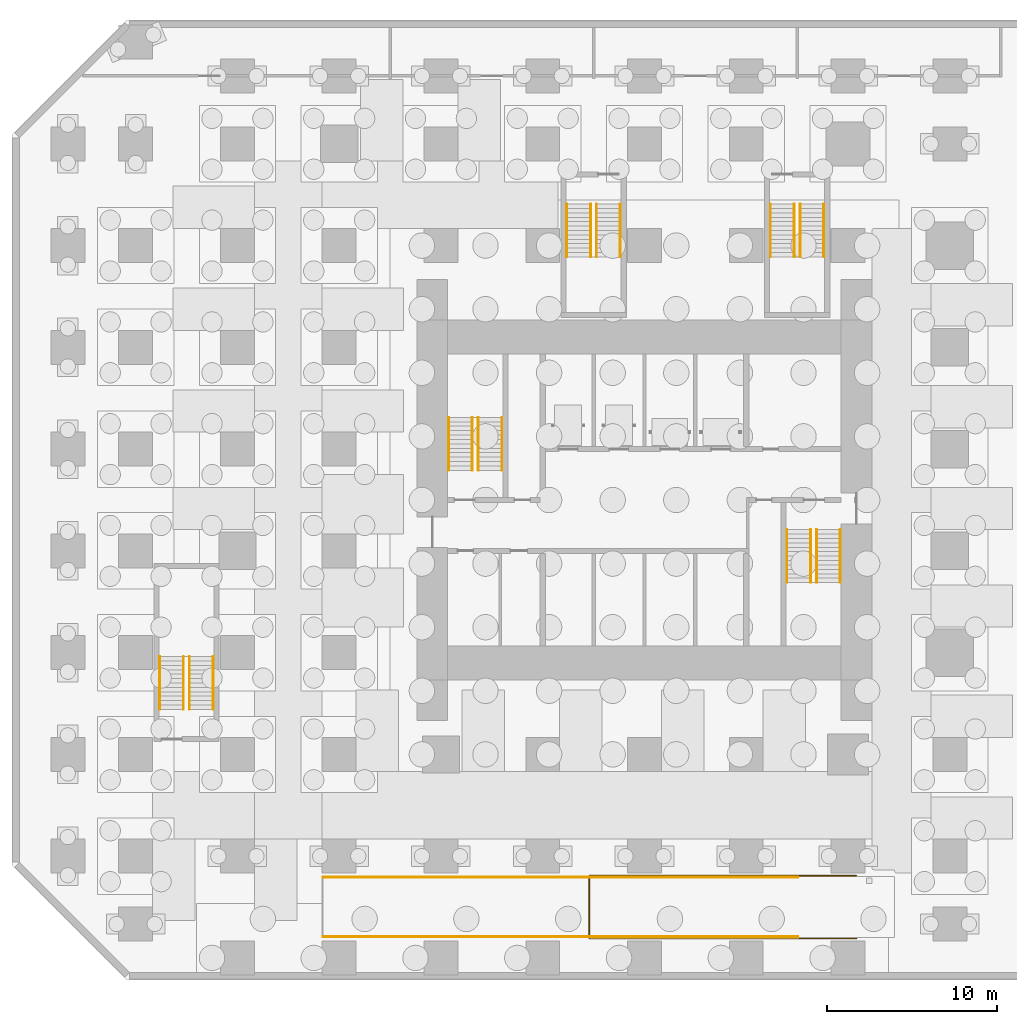
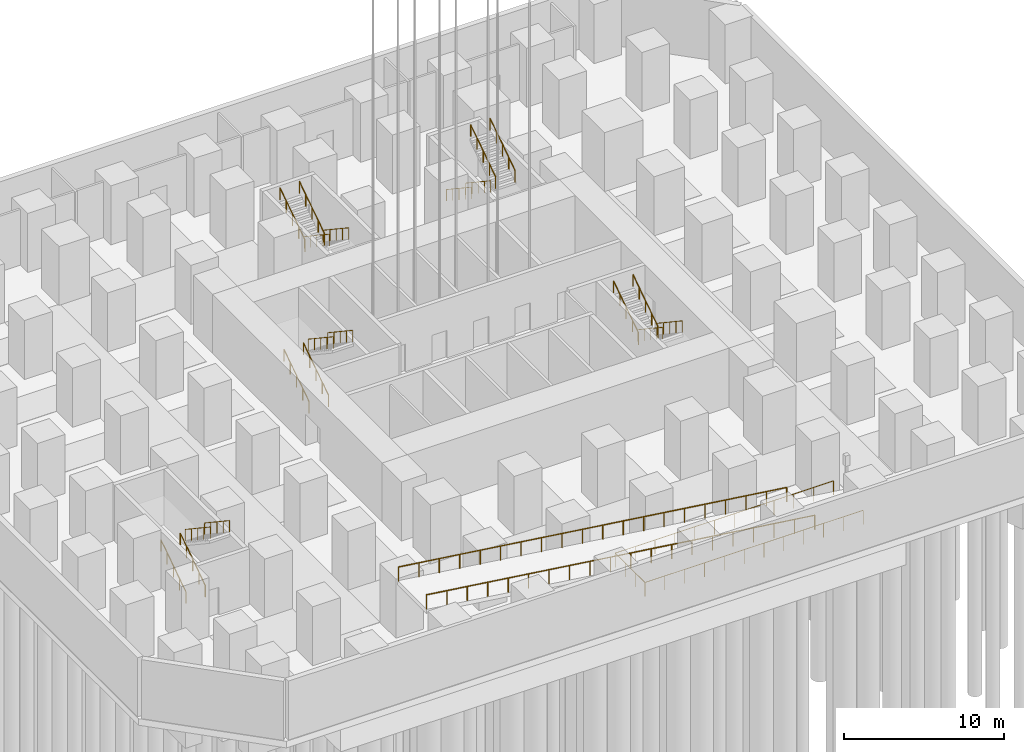
# One storey, part 6 of 11: 23 railings.
"""IFC4 building model written with IfcOpenShell, lengths in metres."""

from ifc_helpers import new_model, si_unit, direction, frame, origin, origin_2d, place, context, subcontext, project, spatial, circle, extrude, material, type_object, element, save


model = new_model("IFC4")

# Units and contexts
model_context = context("Model", 3, precision=1e-05, world=origin(), true_north=direction((0.0, 1.0)))
body_context = subcontext(model_context, "Body", "Model", "MODEL_VIEW")
ifc_project = project(units=[si_unit("LENGTHUNIT", "METRE"), si_unit("AREAUNIT", "SQUARE_METRE"), si_unit("VOLUMEUNIT", "CUBIC_METRE"), si_unit("PLANEANGLEUNIT", "RADIAN"), si_unit("MASSUNIT", "GRAM", prefix="KILO")], contexts=[model_context])

# Site, building, storey
site_placement = place(None, origin())
site = spatial("IfcSite", under=ifc_project, at=site_placement, CompositionType="ELEMENT")
building_placement = place(site_placement, origin())
building = spatial("IfcBuilding", under=site, at=building_placement, Name="Highveld Stack Headquarters", CompositionType="ELEMENT")
storey_placement = place(building_placement, frame((0.0, 0.0, -9.0)))
storey = spatial("IfcBuildingStorey", under=building, at=storey_placement, Name="B2", CompositionType="ELEMENT", Elevation=-9.0)

# Railings
ifc_material_1 = material(Name="Steel balustrade, powder coated", Category="steel")
railing_type_1 = type_object("IfcRailingType", Name="RAMP GUARD GR3 1100", PredefinedType="GUARDRAIL", material=ifc_material_1)
railing_1_placement = place(storey_placement, frame((18.482666015625, -22.85009765625, 0.0)))
element("IfcRailing", 1, at=railing_1_placement, inside=storey, type_object=railing_type_1, Name="Guard under ramp B2 R2 1", PredefinedType="GUARDRAIL", context=body_context, shape_type="SweptSolid", body=[
    extrude(circle(Radius=0.02392578125, at=origin_2d()), frame((0.0, 0.0, 1.076171875), z_axis=(-1.0, 0.0, 0.0), x_axis=(0.0, -1.0, 0.0)), (0.0, 0.0, 1.0), 15.73193359375),
    extrude(circle(Radius=0.02392578125, at=origin_2d()), frame((-15.73193359375, 0.0, 1.076171875), z_axis=(0.0, 1.0, 0.0), x_axis=(-1.0, 0.0, 0.0)), (0.0, 0.0, 1.0), 3.7001953125),
    extrude(circle(Radius=0.02392578125, at=origin_2d()), frame((-15.73193359375, 3.7001953125, 1.076171875), z_axis=(1.0, 0.0, 0.0), x_axis=(0.0, 1.0, 0.0)), (0.0, 0.0, 1.0), 15.73193359375),
    extrude(circle(Radius=0.02099609375, at=origin_2d()), origin(), (0.0, 0.0, 1.0), 1.052001953125),
    extrude(circle(Radius=0.02099609375, at=origin_2d()), frame((-1.43017578125, 0.0, 0.0)), (0.0, 0.0, 1.0), 1.052001953125),
    extrude(circle(Radius=0.02099609375, at=origin_2d()), frame((-2.8603515625, 0.0, 0.0)), (0.0, 0.0, 1.0), 1.052001953125),
    extrude(circle(Radius=0.02099609375, at=origin_2d()), frame((-4.29052734375, 0.0, 0.0)), (0.0, 0.0, 1.0), 1.052001953125),
    extrude(circle(Radius=0.02099609375, at=origin_2d()), frame((-5.720703125, 0.0, 0.0)), (0.0, 0.0, 1.0), 1.052001953125),
    extrude(circle(Radius=0.02099609375, at=origin_2d()), frame((-7.15087890625, 0.0, 0.0)), (0.0, 0.0, 1.0), 1.052001953125),
    extrude(circle(Radius=0.02099609375, at=origin_2d()), frame((-8.5810546875, 0.0, 0.0)), (0.0, 0.0, 1.0), 1.052001953125),
    extrude(circle(Radius=0.02099609375, at=origin_2d()), frame((-10.01123046875, 0.0, 0.0)), (0.0, 0.0, 1.0), 1.052001953125),
    extrude(circle(Radius=0.02099609375, at=origin_2d()), frame((-11.44140625, 0.0, 0.0)), (0.0, 0.0, 1.0), 1.052001953125),
    extrude(circle(Radius=0.02099609375, at=origin_2d()), frame((-12.87158203125, 0.0, 0.0)), (0.0, 0.0, 1.0), 1.052001953125),
    extrude(circle(Radius=0.02099609375, at=origin_2d()), frame((-14.3017578125, 0.0, 0.0)), (0.0, 0.0, 1.0), 1.052001953125),
    extrude(circle(Radius=0.02099609375, at=origin_2d()), frame((-15.73193359375, 0.0, 0.0)), (0.0, 0.0, 1.0), 1.052001953125),
    extrude(circle(Radius=0.02099609375, at=origin_2d()), frame((-15.73193359375, 1.2333984375, 0.0)), (0.0, 0.0, 1.0), 1.052001953125),
    extrude(circle(Radius=0.02099609375, at=origin_2d()), frame((-15.73193359375, 2.466796875, 0.0)), (0.0, 0.0, 1.0), 1.052001953125),
    extrude(circle(Radius=0.02099609375, at=origin_2d()), frame((-15.73193359375, 3.7001953125, 0.0)), (0.0, 0.0, 1.0), 1.052001953125),
    extrude(circle(Radius=0.02099609375, at=origin_2d()), frame((-14.3017578125, 3.7001953125, 0.0)), (0.0, 0.0, 1.0), 1.052001953125),
    extrude(circle(Radius=0.02099609375, at=origin_2d()), frame((-12.87158203125, 3.7001953125, 0.0)), (0.0, 0.0, 1.0), 1.052001953125),
    extrude(circle(Radius=0.02099609375, at=origin_2d()), frame((-11.44140625, 3.7001953125, 0.0)), (0.0, 0.0, 1.0), 1.052001953125),
    extrude(circle(Radius=0.02099609375, at=origin_2d()), frame((-10.01123046875, 3.7001953125, 0.0)), (0.0, 0.0, 1.0), 1.052001953125),
    extrude(circle(Radius=0.02099609375, at=origin_2d()), frame((-8.5810546875, 3.7001953125, 0.0)), (0.0, 0.0, 1.0), 1.052001953125),
    extrude(circle(Radius=0.02099609375, at=origin_2d()), frame((-7.15087890625, 3.7001953125, 0.0)), (0.0, 0.0, 1.0), 1.052001953125),
    extrude(circle(Radius=0.02099609375, at=origin_2d()), frame((-5.720703125, 3.7001953125, 0.0)), (0.0, 0.0, 1.0), 1.052001953125),
    extrude(circle(Radius=0.02099609375, at=origin_2d()), frame((-4.29052734375, 3.7001953125, 0.0)), (0.0, 0.0, 1.0), 1.052001953125),
    extrude(circle(Radius=0.02099609375, at=origin_2d()), frame((-2.8603515625, 3.7001953125, 0.0)), (0.0, 0.0, 1.0), 1.052001953125),
    extrude(circle(Radius=0.02099609375, at=origin_2d()), frame((-1.43017578125, 3.7001953125, 0.0)), (0.0, 0.0, 1.0), 1.052001953125),
    extrude(circle(Radius=0.02099609375, at=origin_2d()), frame((0.0, 3.7001953125, 0.0)), (0.0, 0.0, 1.0), 1.052001953125),
])
railing_2_placement = place(storey_placement, frame((-12.960205078125, -22.75, 4.5)))
element("IfcRailing", 2, at=railing_2_placement, inside=storey, type_object=railing_type_1, Name="Guard on ramp R2 left", PredefinedType="GUARDRAIL", context=body_context, shape_type="SweptSolid", body=[
    extrude(circle(Radius=0.02392578125, at=origin_2d()), frame((0.0, 0.0, 1.076171875), z_axis=(0.991207445611, 0.0, -0.132317042614), x_axis=(0.0, 1.0, 0.0)), (0.0, 0.0, 1.0), 28.265380859375),
    extrude(circle(Radius=0.02099609375, at=origin_2d()), origin(), (0.0, 0.0, 1.0), 1.052001953125),
    extrude(circle(Radius=0.02099609375, at=origin_2d()), frame((1.474609375, 0.0, -0.19677734375)), (0.0, 0.0, 1.0), 1.052001953125),
    extrude(circle(Radius=0.02099609375, at=origin_2d()), frame((2.94921875, 0.0, -0.393798828125)), (0.0, 0.0, 1.0), 1.052001953125),
    extrude(circle(Radius=0.02099609375, at=origin_2d()), frame((4.423828125, 0.0, -0.590576171875)), (0.0, 0.0, 1.0), 1.052001953125),
    extrude(circle(Radius=0.02099609375, at=origin_2d()), frame((5.898193359375, 0.0, -0.787353515625)), (0.0, 0.0, 1.0), 1.052001953125),
    extrude(circle(Radius=0.02099609375, at=origin_2d()), frame((7.372802734375, 0.0, -0.984130859375)), (0.0, 0.0, 1.0), 1.052001953125),
    extrude(circle(Radius=0.02099609375, at=origin_2d()), frame((8.847412109375, 0.0, -1.18115234375)), (0.0, 0.0, 1.0), 1.052001953125),
    extrude(circle(Radius=0.02099609375, at=origin_2d()), frame((10.322021484375, 0.0, -1.3779296875)), (0.0, 0.0, 1.0), 1.052001953125),
    extrude(circle(Radius=0.02099609375, at=origin_2d()), frame((11.796630859375, 0.0, -1.57470703125)), (0.0, 0.0, 1.0), 1.052001953125),
    extrude(circle(Radius=0.02099609375, at=origin_2d()), frame((13.271240234375, 0.0, -1.771484375)), (0.0, 0.0, 1.0), 1.052001953125),
    extrude(circle(Radius=0.02099609375, at=origin_2d()), frame((14.74560546875, 0.0, -1.968505859375)), (0.0, 0.0, 1.0), 1.052001953125),
    extrude(circle(Radius=0.02099609375, at=origin_2d()), frame((16.22021484375, 0.0, -2.165283203125)), (0.0, 0.0, 1.0), 1.052001953125),
    extrude(circle(Radius=0.02099609375, at=origin_2d()), frame((17.69482421875, 0.0, -2.362060546875)), (0.0, 0.0, 1.0), 1.052001953125),
    extrude(circle(Radius=0.02099609375, at=origin_2d()), frame((19.16943359375, 0.0, -2.558837890625)), (0.0, 0.0, 1.0), 1.052001953125),
    extrude(circle(Radius=0.02099609375, at=origin_2d()), frame((20.64404296875, 0.0, -2.755859375)), (0.0, 0.0, 1.0), 1.052001953125),
    extrude(circle(Radius=0.02099609375, at=origin_2d()), frame((22.11865234375, 0.0, -2.95263671875)), (0.0, 0.0, 1.0), 1.052001953125),
    extrude(circle(Radius=0.02099609375, at=origin_2d()), frame((23.593017578125, 0.0, -3.1494140625)), (0.0, 0.0, 1.0), 1.052001953125),
    extrude(circle(Radius=0.02099609375, at=origin_2d()), frame((25.067626953125, 0.0, -3.34619140625)), (0.0, 0.0, 1.0), 1.052001953125),
    extrude(circle(Radius=0.02099609375, at=origin_2d()), frame((26.542236328125, 0.0, -3.543212890625)), (0.0, 0.0, 1.0), 1.052001953125),
    extrude(circle(Radius=0.02099609375, at=origin_2d()), frame((28.016845703125, 0.0, -3.739990234375)), (0.0, 0.0, 1.0), 1.052001953125),
])
railing_3_placement = place(storey_placement, frame((-12.960205078125, -19.25, 4.5)))
element("IfcRailing", 3, at=railing_3_placement, inside=storey, type_object=railing_type_1, Name="Guard on ramp R2 right", PredefinedType="GUARDRAIL", context=body_context, shape_type="SweptSolid", body=[
    extrude(circle(Radius=0.02392578125, at=origin_2d()), frame((0.0, 0.0, 1.076171875), z_axis=(0.991207445611, 0.0, -0.132317042614), x_axis=(0.0, 1.0, 0.0)), (0.0, 0.0, 1.0), 28.265380859375),
    extrude(circle(Radius=0.02099609375, at=origin_2d()), origin(), (0.0, 0.0, 1.0), 1.052001953125),
    extrude(circle(Radius=0.02099609375, at=origin_2d()), frame((1.474609375, 0.0, -0.19677734375)), (0.0, 0.0, 1.0), 1.052001953125),
    extrude(circle(Radius=0.02099609375, at=origin_2d()), frame((2.94921875, 0.0, -0.393798828125)), (0.0, 0.0, 1.0), 1.052001953125),
    extrude(circle(Radius=0.02099609375, at=origin_2d()), frame((4.423828125, 0.0, -0.590576171875)), (0.0, 0.0, 1.0), 1.052001953125),
    extrude(circle(Radius=0.02099609375, at=origin_2d()), frame((5.898193359375, 0.0, -0.787353515625)), (0.0, 0.0, 1.0), 1.052001953125),
    extrude(circle(Radius=0.02099609375, at=origin_2d()), frame((7.372802734375, 0.0, -0.984130859375)), (0.0, 0.0, 1.0), 1.052001953125),
    extrude(circle(Radius=0.02099609375, at=origin_2d()), frame((8.847412109375, 0.0, -1.18115234375)), (0.0, 0.0, 1.0), 1.052001953125),
    extrude(circle(Radius=0.02099609375, at=origin_2d()), frame((10.322021484375, 0.0, -1.3779296875)), (0.0, 0.0, 1.0), 1.052001953125),
    extrude(circle(Radius=0.02099609375, at=origin_2d()), frame((11.796630859375, 0.0, -1.57470703125)), (0.0, 0.0, 1.0), 1.052001953125),
    extrude(circle(Radius=0.02099609375, at=origin_2d()), frame((13.271240234375, 0.0, -1.771484375)), (0.0, 0.0, 1.0), 1.052001953125),
    extrude(circle(Radius=0.02099609375, at=origin_2d()), frame((14.74560546875, 0.0, -1.968505859375)), (0.0, 0.0, 1.0), 1.052001953125),
    extrude(circle(Radius=0.02099609375, at=origin_2d()), frame((16.22021484375, 0.0, -2.165283203125)), (0.0, 0.0, 1.0), 1.052001953125),
    extrude(circle(Radius=0.02099609375, at=origin_2d()), frame((17.69482421875, 0.0, -2.362060546875)), (0.0, 0.0, 1.0), 1.052001953125),
    extrude(circle(Radius=0.02099609375, at=origin_2d()), frame((19.16943359375, 0.0, -2.558837890625)), (0.0, 0.0, 1.0), 1.052001953125),
    extrude(circle(Radius=0.02099609375, at=origin_2d()), frame((20.64404296875, 0.0, -2.755859375)), (0.0, 0.0, 1.0), 1.052001953125),
    extrude(circle(Radius=0.02099609375, at=origin_2d()), frame((22.11865234375, 0.0, -2.95263671875)), (0.0, 0.0, 1.0), 1.052001953125),
    extrude(circle(Radius=0.02099609375, at=origin_2d()), frame((23.593017578125, 0.0, -3.1494140625)), (0.0, 0.0, 1.0), 1.052001953125),
    extrude(circle(Radius=0.02099609375, at=origin_2d()), frame((25.067626953125, 0.0, -3.34619140625)), (0.0, 0.0, 1.0), 1.052001953125),
    extrude(circle(Radius=0.02099609375, at=origin_2d()), frame((26.542236328125, 0.0, -3.543212890625)), (0.0, 0.0, 1.0), 1.052001953125),
    extrude(circle(Radius=0.02099609375, at=origin_2d()), frame((28.016845703125, 0.0, -3.739990234375)), (0.0, 0.0, 1.0), 1.052001953125),
])
ifc_material_2 = material(Name="Stainless steel handrail", Category="steel")
railing_type_2 = type_object("IfcRailingType", Name="STAIR HANDRAIL HR1 900", PredefinedType="HANDRAIL", material=ifc_material_2)
for number, where, name in (
    (4, (-5.550048828125, 4.75, 0.173095703125), "Handrail S1 B2 flight 1"),
    (5, (-4.14990234375, 4.75, 0.173095703125), "Handrail S1 B2 flight 1"),
):
    element("IfcRailing", number, at=place(storey_placement, frame(where)), inside=storey, type_object=railing_type_2, Name=name, PredefinedType="HANDRAIL", context=body_context, shape_type="SweptSolid", body=[
        extrude(circle(Radius=0.02392578125, at=origin_2d()), frame((0.0, 0.0, 0.8759765625), z_axis=(0.0, 0.83244090515, 0.554113832559), x_axis=(-1.0, 0.0, 0.0)), (0.0, 0.0, 1.0), 3.748046875),
        extrude(circle(Radius=0.02099609375, at=origin_2d()), origin(), (0.0, 0.0, 1.0), 0.851806640625),
        extrude(circle(Radius=0.02099609375, at=origin_2d()), frame((0.0, 0.780029296875, 0.519287109375)), (0.0, 0.0, 1.0), 0.851806640625),
        extrude(circle(Radius=0.02099609375, at=origin_2d()), frame((0.0, 1.56005859375, 1.03857421875)), (0.0, 0.0, 1.0), 0.851806640625),
        extrude(circle(Radius=0.02099609375, at=origin_2d()), frame((0.0, 2.340087890625, 1.5576171875)), (0.0, 0.0, 1.0), 0.851806640625),
        extrude(circle(Radius=0.02099609375, at=origin_2d()), frame((0.0, 3.1201171875, 2.076904296875)), (0.0, 0.0, 1.0), 0.851806640625),
    ])
for number, where, name in (
    (6, (-3.800048828125, 7.8701171875, 2.423095703125), "Handrail S1 B2 flight 2"),
    (7, (-2.39990234375, 7.8701171875, 2.423095703125), "Handrail S1 B2 flight 2"),
    (8, (16.14990234375, 1.25, 0.173095703125), "Handrail S2 B2 flight 1"),
    (9, (17.550048828125, 1.25, 0.173095703125), "Handrail S2 B2 flight 1"),
):
    element("IfcRailing", number, at=place(storey_placement, frame(where)), inside=storey, type_object=railing_type_2, Name=name, PredefinedType="HANDRAIL", context=body_context, shape_type="SweptSolid", body=[
        extrude(circle(Radius=0.02392578125, at=origin_2d()), frame((0.0, 0.0, 0.8759765625), z_axis=(0.0, -0.83244090515, 0.554113832559), x_axis=(1.0, 0.0, 0.0)), (0.0, 0.0, 1.0), 3.748046875),
        extrude(circle(Radius=0.02099609375, at=origin_2d()), origin(), (0.0, 0.0, 1.0), 0.851806640625),
        extrude(circle(Radius=0.02099609375, at=origin_2d()), frame((0.0, -0.780029296875, 0.519287109375)), (0.0, 0.0, 1.0), 0.851806640625),
        extrude(circle(Radius=0.02099609375, at=origin_2d()), frame((0.0, -1.56005859375, 1.03857421875)), (0.0, 0.0, 1.0), 0.851806640625),
        extrude(circle(Radius=0.02099609375, at=origin_2d()), frame((0.0, -2.340087890625, 1.5576171875)), (0.0, 0.0, 1.0), 0.851806640625),
        extrude(circle(Radius=0.02099609375, at=origin_2d()), frame((0.0, -3.1201171875, 2.076904296875)), (0.0, 0.0, 1.0), 0.851806640625),
    ])
for number, where, name in (
    (10, (14.39990234375, -1.8701171875, 2.423095703125), "Handrail S2 B2 flight 2"),
    (11, (15.800048828125, -1.8701171875, 2.423095703125), "Handrail S2 B2 flight 2"),
    (12, (-22.574951171875, -9.35009765625, 0.173095703125), "Handrail PS1 B2 flight 1"),
    (13, (-21.175048828125, -9.35009765625, 0.173095703125), "Handrail PS1 B2 flight 1"),
):
    element("IfcRailing", number, at=place(storey_placement, frame(where)), inside=storey, type_object=railing_type_2, Name=name, PredefinedType="HANDRAIL", context=body_context, shape_type="SweptSolid", body=[
        extrude(circle(Radius=0.02392578125, at=origin_2d()), frame((0.0, 0.0, 0.8759765625), z_axis=(0.0, 0.83244090515, 0.554113832559), x_axis=(-1.0, 0.0, 0.0)), (0.0, 0.0, 1.0), 3.748046875),
        extrude(circle(Radius=0.02099609375, at=origin_2d()), origin(), (0.0, 0.0, 1.0), 0.851806640625),
        extrude(circle(Radius=0.02099609375, at=origin_2d()), frame((0.0, 0.780029296875, 0.519287109375)), (0.0, 0.0, 1.0), 0.851806640625),
        extrude(circle(Radius=0.02099609375, at=origin_2d()), frame((0.0, 1.56005859375, 1.03857421875)), (0.0, 0.0, 1.0), 0.851806640625),
        extrude(circle(Radius=0.02099609375, at=origin_2d()), frame((0.0, 2.340087890625, 1.5576171875)), (0.0, 0.0, 1.0), 0.851806640625),
        extrude(circle(Radius=0.02099609375, at=origin_2d()), frame((0.0, 3.1201171875, 2.076904296875)), (0.0, 0.0, 1.0), 0.851806640625),
    ])
for number, where, name in (
    (14, (-20.824951171875, -6.22998046875, 2.423095703125), "Handrail PS1 B2 flight 2"),
    (15, (-19.425048828125, -6.22998046875, 2.423095703125), "Handrail PS1 B2 flight 2"),
):
    element("IfcRailing", number, at=place(storey_placement, frame(where)), inside=storey, type_object=railing_type_2, Name=name, PredefinedType="HANDRAIL", context=body_context, shape_type="SweptSolid", body=[
        extrude(circle(Radius=0.02392578125, at=origin_2d()), frame((0.0, 0.0, 0.8759765625), z_axis=(0.0, -0.83244090515, 0.554113832559), x_axis=(1.0, 0.0, 0.0)), (0.0, 0.0, 1.0), 3.748046875),
        extrude(circle(Radius=0.02099609375, at=origin_2d()), origin(), (0.0, 0.0, 1.0), 0.851806640625),
        extrude(circle(Radius=0.02099609375, at=origin_2d()), frame((0.0, -0.780029296875, 0.519287109375)), (0.0, 0.0, 1.0), 0.851806640625),
        extrude(circle(Radius=0.02099609375, at=origin_2d()), frame((0.0, -1.56005859375, 1.03857421875)), (0.0, 0.0, 1.0), 0.851806640625),
        extrude(circle(Radius=0.02099609375, at=origin_2d()), frame((0.0, -2.340087890625, 1.5576171875)), (0.0, 0.0, 1.0), 0.851806640625),
        extrude(circle(Radius=0.02099609375, at=origin_2d()), frame((0.0, -3.1201171875, 2.076904296875)), (0.0, 0.0, 1.0), 0.851806640625),
    ])
for number, where, name in (
    (16, (13.425048828125, 20.449951171875, 0.173095703125), "Handrail PS2 B2 flight 1"),
    (17, (14.824951171875, 20.449951171875, 0.173095703125), "Handrail PS2 B2 flight 1"),
):
    element("IfcRailing", number, at=place(storey_placement, frame(where)), inside=storey, type_object=railing_type_2, Name=name, PredefinedType="HANDRAIL", context=body_context, shape_type="SweptSolid", body=[
        extrude(circle(Radius=0.02392578125, at=origin_2d()), frame((0.0, 0.0, 0.8759765625), z_axis=(0.0, -0.832420903958, 0.554143879018), x_axis=(1.0, 0.0, 0.0)), (0.0, 0.0, 1.0), 3.748046875),
        extrude(circle(Radius=0.02099609375, at=origin_2d()), origin(), (0.0, 0.0, 1.0), 0.851806640625),
        extrude(circle(Radius=0.02099609375, at=origin_2d()), frame((0.0, -0.780029296875, 0.519287109375)), (0.0, 0.0, 1.0), 0.851806640625),
        extrude(circle(Radius=0.02099609375, at=origin_2d()), frame((0.0, -1.56005859375, 1.03857421875)), (0.0, 0.0, 1.0), 0.851806640625),
        extrude(circle(Radius=0.02099609375, at=origin_2d()), frame((0.0, -2.33984375, 1.5576171875)), (0.0, 0.0, 1.0), 0.851806640625),
        extrude(circle(Radius=0.02099609375, at=origin_2d()), frame((0.0, -3.119873046875, 2.076904296875)), (0.0, 0.0, 1.0), 0.851806640625),
    ])
for number, where, name in (
    (18, (15.175048828125, 17.330078125, 2.423095703125), "Handrail PS2 B2 flight 2"),
    (19, (16.574951171875, 17.330078125, 2.423095703125), "Handrail PS2 B2 flight 2"),
):
    element("IfcRailing", number, at=place(storey_placement, frame(where)), inside=storey, type_object=railing_type_2, Name=name, PredefinedType="HANDRAIL", context=body_context, shape_type="SweptSolid", body=[
        extrude(circle(Radius=0.02392578125, at=origin_2d()), frame((0.0, 0.0, 0.8759765625), z_axis=(0.0, 0.832420903958, 0.554143879018), x_axis=(-1.0, 0.0, 0.0)), (0.0, 0.0, 1.0), 3.748046875),
        extrude(circle(Radius=0.02099609375, at=origin_2d()), origin(), (0.0, 0.0, 1.0), 0.851806640625),
        extrude(circle(Radius=0.02099609375, at=origin_2d()), frame((0.0, 0.780029296875, 0.519287109375)), (0.0, 0.0, 1.0), 0.851806640625),
        extrude(circle(Radius=0.02099609375, at=origin_2d()), frame((0.0, 1.56005859375, 1.03857421875)), (0.0, 0.0, 1.0), 0.851806640625),
        extrude(circle(Radius=0.02099609375, at=origin_2d()), frame((0.0, 2.33984375, 1.5576171875)), (0.0, 0.0, 1.0), 0.851806640625),
        extrude(circle(Radius=0.02099609375, at=origin_2d()), frame((0.0, 3.119873046875, 2.076904296875)), (0.0, 0.0, 1.0), 0.851806640625),
    ])
for number, where, name in (
    (20, (3.175048828125, 20.449951171875, 0.173095703125), "Handrail PS3 B2 flight 1"),
    (21, (4.574951171875, 20.449951171875, 0.173095703125), "Handrail PS3 B2 flight 1"),
):
    element("IfcRailing", number, at=place(storey_placement, frame(where)), inside=storey, type_object=railing_type_2, Name=name, PredefinedType="HANDRAIL", context=body_context, shape_type="SweptSolid", body=[
        extrude(circle(Radius=0.02392578125, at=origin_2d()), frame((0.0, 0.0, 0.8759765625), z_axis=(0.0, -0.832420903958, 0.554143879018), x_axis=(1.0, 0.0, 0.0)), (0.0, 0.0, 1.0), 3.748046875),
        extrude(circle(Radius=0.02099609375, at=origin_2d()), origin(), (0.0, 0.0, 1.0), 0.851806640625),
        extrude(circle(Radius=0.02099609375, at=origin_2d()), frame((0.0, -0.780029296875, 0.519287109375)), (0.0, 0.0, 1.0), 0.851806640625),
        extrude(circle(Radius=0.02099609375, at=origin_2d()), frame((0.0, -1.56005859375, 1.03857421875)), (0.0, 0.0, 1.0), 0.851806640625),
        extrude(circle(Radius=0.02099609375, at=origin_2d()), frame((0.0, -2.33984375, 1.5576171875)), (0.0, 0.0, 1.0), 0.851806640625),
        extrude(circle(Radius=0.02099609375, at=origin_2d()), frame((0.0, -3.119873046875, 2.076904296875)), (0.0, 0.0, 1.0), 0.851806640625),
    ])
for number, where, name in (
    (22, (1.425048828125, 17.330078125, 2.423095703125), "Handrail PS3 B2 flight 2"),
    (23, (2.824951171875, 17.330078125, 2.423095703125), "Handrail PS3 B2 flight 2"),
):
    element("IfcRailing", number, at=place(storey_placement, frame(where)), inside=storey, type_object=railing_type_2, Name=name, PredefinedType="HANDRAIL", context=body_context, shape_type="SweptSolid", body=[
        extrude(circle(Radius=0.02392578125, at=origin_2d()), frame((0.0, 0.0, 0.8759765625), z_axis=(0.0, 0.832420903958, 0.554143879018), x_axis=(-1.0, 0.0, 0.0)), (0.0, 0.0, 1.0), 3.748046875),
        extrude(circle(Radius=0.02099609375, at=origin_2d()), origin(), (0.0, 0.0, 1.0), 0.851806640625),
        extrude(circle(Radius=0.02099609375, at=origin_2d()), frame((0.0, 0.780029296875, 0.519287109375)), (0.0, 0.0, 1.0), 0.851806640625),
        extrude(circle(Radius=0.02099609375, at=origin_2d()), frame((0.0, 1.56005859375, 1.03857421875)), (0.0, 0.0, 1.0), 0.851806640625),
        extrude(circle(Radius=0.02099609375, at=origin_2d()), frame((0.0, 2.33984375, 1.5576171875)), (0.0, 0.0, 1.0), 0.851806640625),
        extrude(circle(Radius=0.02099609375, at=origin_2d()), frame((0.0, 3.119873046875, 2.076904296875)), (0.0, 0.0, 1.0), 0.851806640625),
    ])

save(model, "model.ifc")
